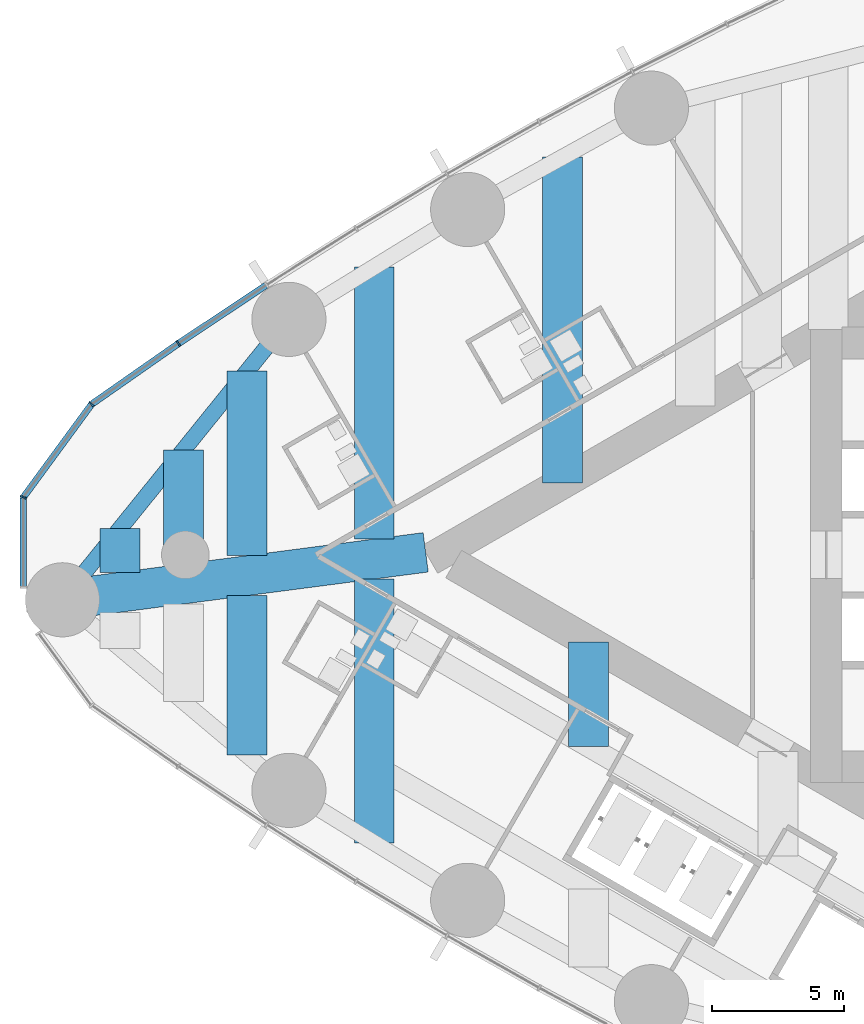
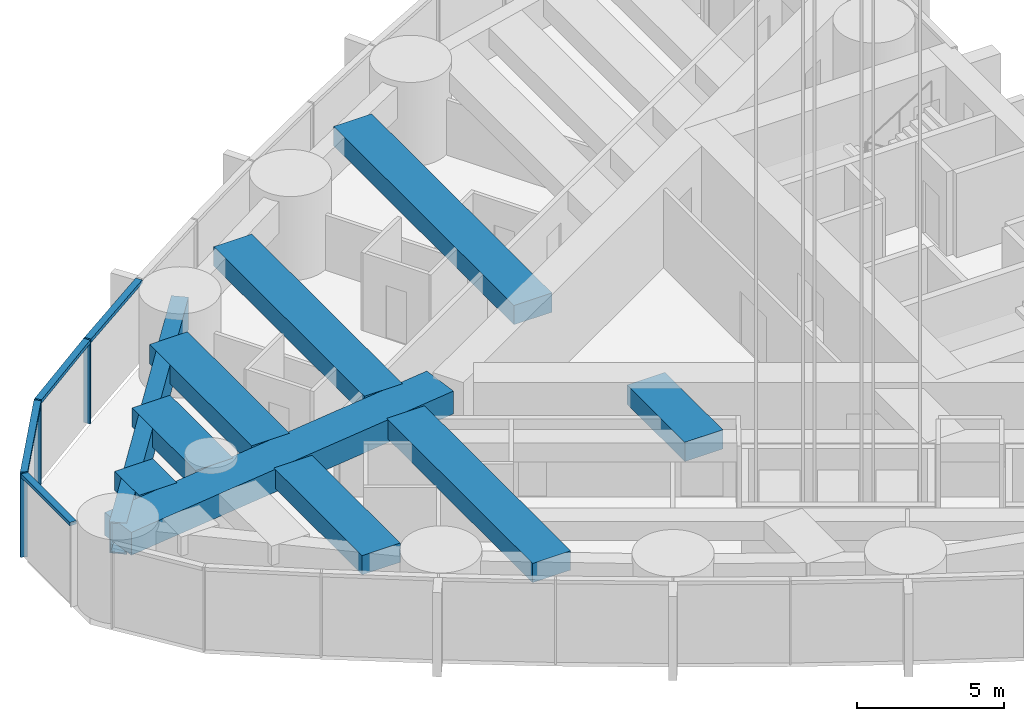
# One storey, part 3 of 21: 10 beams, 7 members, 1 element without a shape of its own.
"""IFC4 building model written with IfcOpenShell, lengths in metres."""

from ifc_helpers import new_model, si_unit, direction, frame, origin, origin_2d, place, context, subcontext, project, spatial, rectangle, hollow_rectangle, extrude, material, material_profile, profile_set, type_object, element, aggregate, save


model = new_model("IFC4")

# Units and contexts
model_context = context("Model", 3, precision=1e-05, world=origin(), true_north=direction((0.0, 1.0)))
body_context = subcontext(model_context, "Body", "Model", "MODEL_VIEW")
ifc_project = project(units=[si_unit("LENGTHUNIT", "METRE"), si_unit("AREAUNIT", "SQUARE_METRE"), si_unit("VOLUMEUNIT", "CUBIC_METRE"), si_unit("PLANEANGLEUNIT", "RADIAN"), si_unit("MASSUNIT", "GRAM", prefix="KILO")], contexts=[model_context])

# Site, building, storey
site_placement = place(None, origin())
site = spatial("IfcSite", under=ifc_project, at=site_placement, CompositionType="ELEMENT")
building_placement = place(site_placement, origin())
building = spatial("IfcBuilding", under=site, at=building_placement, Name="Lancet Gate Hotel", CompositionType="ELEMENT")
storey_placement = place(building_placement, frame((0.0, 0.0, 156.300048828125)))
storey = spatial("IfcBuildingStorey", under=building, at=storey_placement, Name="L41", CompositionType="ELEMENT", Elevation=156.300048828125)

# Curtain wall, members
ifc_material_1 = material(Name="Aluminium curtain wall", Category="aluminium")
curtain_wall_type = type_object("IfcCurtainWallType", Name="Tower unitised curtain wall", PredefinedType="USERDEFINED", material=ifc_material_1)
curtain_wall_placement = place(storey_placement, origin())
curtain_wall = element("IfcCurtainWall", 1, at=curtain_wall_placement, inside=storey, type_object=curtain_wall_type, Name="T1 L41 curtain wall 2", ObjectType="UNITISED CURTAIN WALL", PredefinedType="USERDEFINED")
ifc_material_2 = material(Name="Aluminium mullion", Category="aluminium")
ifc_material_profile_1 = material_profile(ifc_material_2, rectangle(XDim=0.06494140625, YDim=0.25, at=origin_2d()), Name="MULLION 65x250")
ifc_profile_set_1 = profile_set([ifc_material_profile_1], Name="Aluminium mullion")
member_type_1 = type_object("IfcMemberType", Name="Aluminium mullion 65x250", PredefinedType="MULLION", material=ifc_profile_set_1)
member_1_placement = place(storey_placement, frame((-61.7626953125, 7.980712890625, 0.0), z_axis=(0.0, 0.0, 1.0), x_axis=(-0.826312172542, -0.563212387568, 0.0)))
member_1 = element("IfcMember", 2, at=member_1_placement, type_object=member_type_1, Name="T1 L41 curtain wall 2 mullion 10", PredefinedType="MULLION", context=body_context, shape_type="SweptSolid", body=[
    extrude(rectangle(XDim=0.06494140625, YDim=0.25, at=origin_2d()), origin(), (0.0, 0.0, 1.0), 3.5),
])
member_2_placement = place(storey_placement, frame((-65.040283203125, 5.68994140625, 0.0), z_axis=(0.0, 0.0, 1.0), x_axis=(-0.710112861968, -0.704087866155, 0.0)))
member_2 = element("IfcMember", 3, at=member_2_placement, type_object=member_type_1, Name="T1 L41 curtain wall 2 mullion 11", PredefinedType="MULLION", context=body_context, shape_type="SweptSolid", body=[
    extrude(rectangle(XDim=0.06494140625, YDim=0.25, at=origin_2d()), origin(), (0.0, 0.0, 1.0), 3.5),
])
member_3_placement = place(storey_placement, frame((-67.61572265625, 2.177490234375, 0.0), z_axis=(0.0, 0.0, 1.0), x_axis=(-0.349199411078, -0.937048435943, 0.0)))
member_3 = element("IfcMember", 4, at=member_3_placement, type_object=member_type_1, Name="T1 L41 curtain wall 2 mullion 12", PredefinedType="MULLION", context=body_context, shape_type="SweptSolid", body=[
    extrude(rectangle(XDim=0.06494140625, YDim=0.25, at=origin_2d()), origin(), (0.0, 0.0, 1.0), 3.5),
])
ifc_material_3 = material(Name="Aluminium transom", Category="aluminium")
ifc_material_profile_2 = material_profile(ifc_material_3, rectangle(XDim=0.25, YDim=0.14990234375, at=origin_2d()), Name="TRANSOM 250x150")
ifc_profile_set_2 = profile_set([ifc_material_profile_2], Name="Aluminium transom")
member_type_2 = type_object("IfcMemberType", Name="Aluminium transom 250x150", PredefinedType="USERDEFINED", material=ifc_profile_set_2)
member_4_placement = place(storey_placement, frame((-58.459228515625, 10.176025390625, 3.425048828125), z_axis=(-0.832870509189, -0.553467898729, 0.0), x_axis=(0.553467898729, -0.832870509189, 0.0)))
member_4 = element("IfcMember", 5, at=member_4_placement, type_object=member_type_2, Name="T1 L41 curtain wall 2 transom 9", ObjectType="TRANSOM", PredefinedType="USERDEFINED", context=body_context, shape_type="SweptSolid", body=[
    extrude(rectangle(XDim=0.25, YDim=0.14990234375, at=origin_2d()), origin(), (0.0, 0.0, 1.0), 3.933837890625),
])
member_5_placement = place(storey_placement, frame((-61.789306640625, 7.962158203125, 3.425048828125), z_axis=(-0.819636985462, -0.572883244704, 0.0), x_axis=(0.572883244704, -0.819636985462, 0.0)))
member_5 = element("IfcMember", 6, at=member_5_placement, type_object=member_type_2, Name="T1 L41 curtain wall 2 transom 10", ObjectType="TRANSOM", PredefinedType="USERDEFINED", context=body_context, shape_type="SweptSolid", body=[
    extrude(rectangle(XDim=0.25, YDim=0.14990234375, at=origin_2d()), origin(), (0.0, 0.0, 1.0), 3.933837890625),
])
member_6_placement = place(storey_placement, frame((-65.0595703125, 5.66357421875, 3.425048828125), z_axis=(-0.591324189618, -0.806433941977, 0.0), x_axis=(0.806433941977, -0.591324189618, 0.0)))
member_6 = element("IfcMember", 7, at=member_6_placement, type_object=member_type_2, Name="T1 L41 curtain wall 2 transom 11", ObjectType="TRANSOM", PredefinedType="USERDEFINED", context=body_context, shape_type="SweptSolid", body=[
    extrude(rectangle(XDim=0.25, YDim=0.14990234375, at=origin_2d()), origin(), (0.0, 0.0, 1.0), 4.2900390625),
])
member_7_placement = place(storey_placement, frame((-67.61572265625, 2.14501953125, 3.425048828125), z_axis=(0.0, -1.0, 0.0), x_axis=(1.0, 0.0, 0.0)))
member_7 = element("IfcMember", 8, at=member_7_placement, type_object=member_type_2, Name="T1 L41 curtain wall 2 transom 12", ObjectType="TRANSOM", PredefinedType="USERDEFINED", context=body_context, shape_type="SweptSolid", body=[
    extrude(rectangle(XDim=0.25, YDim=0.14990234375, at=origin_2d()), origin(), (0.0, 0.0, 1.0), 3.3330078125),
])
aggregate(curtain_wall, [member_1, member_2, member_3, member_4, member_5, member_6, member_7])

# Beams
ifc_material_4 = material(Name="Steel S460QL", Category="steel")
ifc_material_profile_3 = material_profile(ifc_material_4, hollow_rectangle(XDim=0.60009765625, YDim=1.300048828125, WallThickness=0.050048828125, at=origin_2d()), Name="BOX 1300x600x50")
ifc_profile_set_3 = profile_set([ifc_material_profile_3], Name="Steel S460QL")
beam_type_1 = type_object("IfcBeamType", Name="Edge beam BOX 1300x600x50", PredefinedType="SPANDREL", material=ifc_profile_set_3)
beam_1_placement = place(storey_placement, frame((-57.589599609375, 8.89306640625, 2.599853515625), z_axis=(-0.628373846765, -0.777911504416, 0.0), x_axis=(0.777911504416, -0.628373846765, 0.0)))
element("IfcBeam", 9, at=beam_1_placement, inside=storey, type_object=beam_type_1, Name="T1 edge beam EB2 L41", PredefinedType="SPANDREL", context=body_context, shape_type="SweptSolid", body=[
    extrude(hollow_rectangle(XDim=0.60009765625, YDim=1.300048828125, WallThickness=0.050048828125, at=origin_2d()), origin(), (0.0, 0.0, 1.0), 13.611328125),
])
ifc_material_5 = material(Name="Concrete C50/60", Category="concrete")
ifc_material_profile_4 = material_profile(ifc_material_5, rectangle(XDim=1.5, YDim=0.800048828125, at=origin_2d()), Name="RC 1500x800")
ifc_profile_set_4 = profile_set([ifc_material_profile_4], Name="Concrete C50/60")
beam_type_2 = type_object("IfcBeamType", Name="Floor beam RC 1500x800", PredefinedType="BEAM", material=ifc_profile_set_4)
beam_2_placement = place(storey_placement, frame((-47.254638671875, 15.020751953125, 2.849853515625), z_axis=(0.0, -1.0, 0.0), x_axis=(1.0, 0.0, 0.0)))
element("IfcBeam", 10, at=beam_2_placement, inside=storey, type_object=beam_type_2, Name="T1 floor beam F09S L41", PredefinedType="BEAM", context=body_context, shape_type="SweptSolid", body=[
    extrude(rectangle(XDim=1.5, YDim=0.800048828125, at=origin_2d()), origin(), (0.0, 0.0, 1.0), 12.29931640625),
])
beam_3_placement = place(storey_placement, frame((-54.3681640625, 10.87353515625, 2.849853515625), z_axis=(0.0, -1.0, 0.0), x_axis=(1.0, 0.0, 0.0)))
element("IfcBeam", 11, at=beam_3_placement, inside=storey, type_object=beam_type_2, Name="T1 floor beam F10S L41", PredefinedType="BEAM", context=body_context, shape_type="SweptSolid", body=[
    extrude(rectangle(XDim=1.5, YDim=0.800048828125, at=origin_2d()), origin(), (0.0, 0.0, 1.0), 10.27392578125),
])
beam_4_placement = place(storey_placement, frame((-54.3681640625, -0.9130859375, 2.849853515625), z_axis=(0.0, -1.0, 0.0), x_axis=(1.0, 0.0, 0.0)))
element("IfcBeam", 12, at=beam_4_placement, inside=storey, type_object=beam_type_2, Name="T1 floor beam F11N L41", PredefinedType="BEAM", context=body_context, shape_type="SweptSolid", body=[
    extrude(rectangle(XDim=1.5, YDim=0.800048828125, at=origin_2d()), origin(), (0.0, 0.0, 1.0), 9.96044921875),
])
beam_5_placement = place(storey_placement, frame((-59.168212890625, 6.938720703125, 2.849853515625), z_axis=(0.0, -1.0, 0.0), x_axis=(1.0, 0.0, 0.0)))
element("IfcBeam", 13, at=beam_5_placement, inside=storey, type_object=beam_type_2, Name="T1 floor beam F12S L41", PredefinedType="BEAM", context=body_context, shape_type="SweptSolid", body=[
    extrude(rectangle(XDim=1.5, YDim=0.800048828125, at=origin_2d()), origin(), (0.0, 0.0, 1.0), 6.96630859375),
])
beam_6_placement = place(storey_placement, frame((-59.168212890625, -1.54052734375, 2.849853515625), z_axis=(0.0, -1.0, 0.0), x_axis=(1.0, 0.0, 0.0)))
element("IfcBeam", 14, at=beam_6_placement, inside=storey, type_object=beam_type_2, Name="T1 floor beam F13N L41", PredefinedType="BEAM", context=body_context, shape_type="SweptSolid", body=[
    extrude(rectangle(XDim=1.5, YDim=0.800048828125, at=origin_2d()), origin(), (0.0, 0.0, 1.0), 6.02392578125),
])
beam_7_placement = place(storey_placement, frame((-61.568359375, 3.967529296875, 2.849853515625), z_axis=(0.0, -1.0, 0.0), x_axis=(1.0, 0.0, 0.0)))
element("IfcBeam", 15, at=beam_7_placement, inside=storey, type_object=beam_type_2, Name="T1 floor beam F14S L41", PredefinedType="BEAM", context=body_context, shape_type="SweptSolid", body=[
    extrude(rectangle(XDim=1.5, YDim=0.800048828125, at=origin_2d()), origin(), (0.0, 0.0, 1.0), 4.308837890625),
])
beam_8_placement = place(storey_placement, frame((-63.96826171875, 0.996337890625, 2.849853515625), z_axis=(0.0, -1.0, 0.0), x_axis=(1.0, 0.0, 0.0)))
element("IfcBeam", 16, at=beam_8_placement, inside=storey, type_object=beam_type_2, Name="T1 floor beam F16S L41", PredefinedType="BEAM", context=body_context, shape_type="SweptSolid", body=[
    extrude(rectangle(XDim=1.5, YDim=0.800048828125, at=origin_2d()), origin(), (0.0, 0.0, 1.0), 1.6513671875),
])
beam_9_placement = place(storey_placement, frame((-46.27587890625, -3.28662109375, 2.849853515625), z_axis=(0.0, -1.0, 0.0), x_axis=(1.0, 0.0, 0.0)))
element("IfcBeam", 17, at=beam_9_placement, inside=storey, type_object=beam_type_2, Name="T1 floor beam F08NA L41", PredefinedType="BEAM", context=body_context, shape_type="SweptSolid", body=[
    extrude(rectangle(XDim=1.5, YDim=0.800048828125, at=origin_2d()), origin(), (0.0, 0.0, 1.0), 3.945556640625),
])
ifc_material_6 = material(Name="Concrete C50/60", Category="concrete")
ifc_material_profile_5 = material_profile(ifc_material_6, rectangle(XDim=1.5, YDim=0.949951171875, at=origin_2d()), Name="RC 1500x950")
ifc_profile_set_5 = profile_set([ifc_material_profile_5], Name="Concrete C50/60")
beam_type_3 = type_object("IfcBeamType", Name="Radial floor beam RC 1500x950", PredefinedType="BEAM", material=ifc_profile_set_5)
beam_10_placement = place(storey_placement, frame((-66.142578125, -1.6953125, 2.77490234375), z_axis=(0.991571259053, 0.129562487702, 0.0), x_axis=(-0.129562487702, 0.991571259053, 0.0)))
element("IfcBeam", 18, at=beam_10_placement, inside=storey, type_object=beam_type_3, Name="T1 radial beam CA L41", PredefinedType="BEAM", context=body_context, shape_type="SweptSolid", body=[
    extrude(rectangle(XDim=1.5, YDim=0.949951171875, at=origin_2d()), origin(), (0.0, 0.0, 1.0), 13.8349609375),
])

save(model, "model.ifc")
